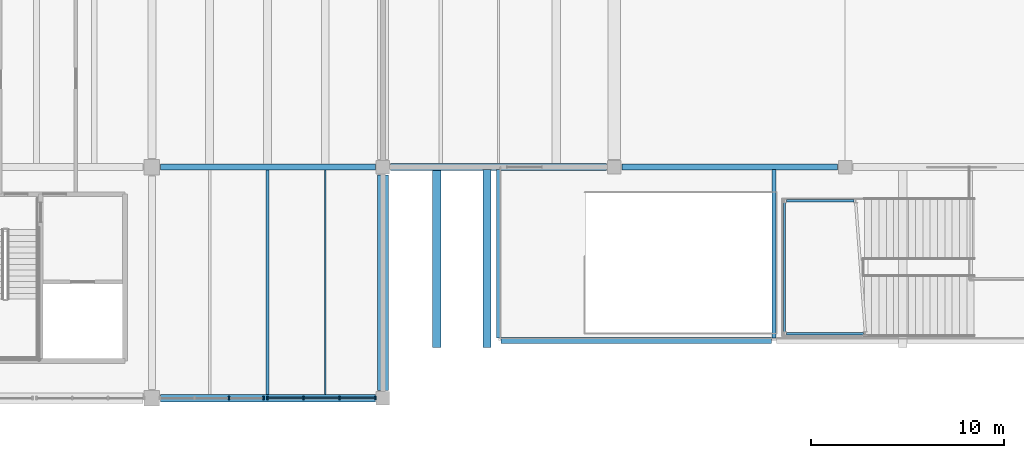
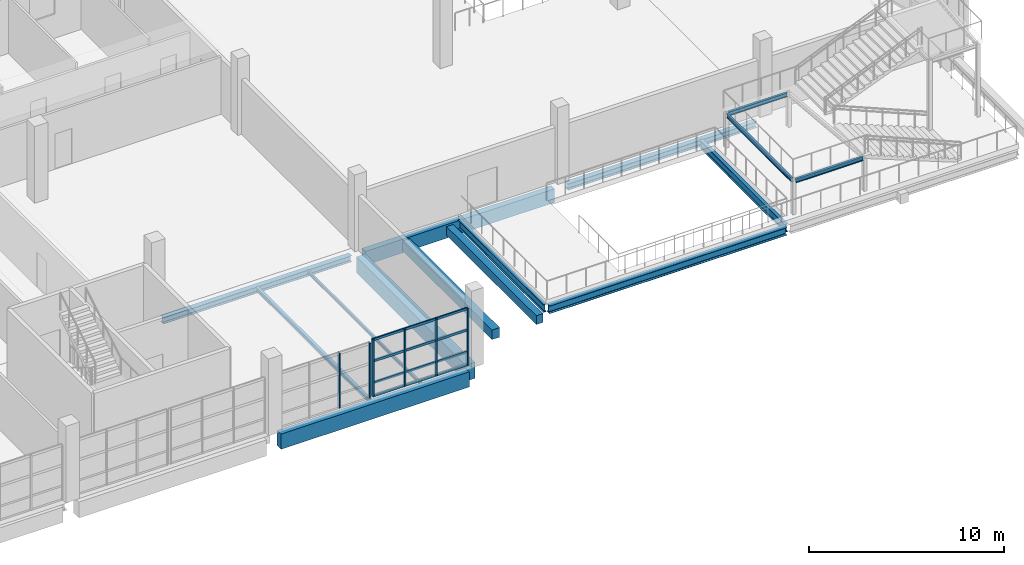
# One storey, part 35 of 112: 13 beams, 12 members, 2 elements without a shape of their own.
"""IFC4 building model written with IfcOpenShell, lengths in metres."""

from ifc_helpers import new_model, si_unit, direction, frame, origin, origin_2d, place, context, subcontext, project, spatial, rectangle, i_section, extrude, material, material_profile, profile_set, type_object, element, aggregate, save


model = new_model("IFC4")

# Units and contexts
model_context = context("Model", 3, precision=1e-05, world=origin(), true_north=direction((0.0, 1.0)))
body_context = subcontext(model_context, "Body", "Model", "MODEL_VIEW")
ifc_project = project(units=[si_unit("LENGTHUNIT", "METRE"), si_unit("AREAUNIT", "SQUARE_METRE"), si_unit("VOLUMEUNIT", "CUBIC_METRE"), si_unit("PLANEANGLEUNIT", "RADIAN"), si_unit("MASSUNIT", "GRAM", prefix="KILO")], contexts=[model_context])

# Site, building, storey
site_placement = place(None, origin())
site = spatial("IfcSite", under=ifc_project, at=site_placement, CompositionType="ELEMENT")
building_placement = place(site_placement, origin())
building = spatial("IfcBuilding", under=site, at=building_placement, Name="Kamomehara Wholesale Market", CompositionType="ELEMENT")
storey_placement = place(building_placement, frame((0.0, 0.0, 6.60009765625)))
storey = spatial("IfcBuildingStorey", under=building, at=storey_placement, Name="L01", CompositionType="ELEMENT", Elevation=6.60009765625)

# Beams
ifc_material_1 = material(Name="Concrete Fc36 (C35/45)", Category="concrete")
ifc_material_profile_1 = material_profile(ifc_material_1, rectangle(XDim=0.550048828125, YDim=1.0, at=origin_2d()), Name="RC-SEB-550x1000")
ifc_profile_set_1 = profile_set([ifc_material_profile_1], Name="Concrete Fc36 (C35/45)")
beam_type_1 = type_object("IfcBeamType", Name="BM-SEB1000-EXT", PredefinedType="SPANDREL", material=ifc_profile_set_1)
beam_1_placement = place(storey_placement, frame((168.0, 12.39990234375, -0.81201171875), z_axis=(0.0, 1.0, 0.0), x_axis=(-1.0, 0.0, 0.0)))
element("IfcBeam", 1, at=beam_1_placement, inside=storey, type_object=beam_type_1, Name="Beam SEB-03E L01", PredefinedType="SPANDREL", context=body_context, shape_type="SweptSolid", body=[
    extrude(rectangle(XDim=0.550048828125, YDim=1.0, at=origin_2d()), origin(), (0.0, 0.0, 1.0), 11.2001953125),
])
ifc_material_2 = material(Name="Precast concrete Fc45 (C40/50)", Category="concrete")
ifc_material_profile_2 = material_profile(ifc_material_2, rectangle(XDim=0.35009765625, YDim=0.85009765625, at=origin_2d()), Name="PC-SPN-350x850")
ifc_profile_set_2 = profile_set([ifc_material_profile_2], Name="Precast concrete Fc45 (C40/50)")
beam_type_2 = type_object("IfcBeamType", Name="BM-SPN850-EXT", PredefinedType="SPANDREL", material=ifc_profile_set_2)
beam_2_placement = place(storey_placement, frame((168.39990234375, 24.0, -0.777099609375), z_axis=(1.0, 0.0, 0.0), x_axis=(0.0, 1.0, 0.0)))
element("IfcBeam", 2, at=beam_2_placement, inside=storey, type_object=beam_type_2, Name="Beam SPN-02E L01", PredefinedType="SPANDREL", context=body_context, shape_type="SweptSolid", body=[
    extrude(rectangle(XDim=0.35009765625, YDim=0.85009765625, at=origin_2d()), origin(), (0.0, 0.0, 1.0), 11.2001953125),
])
ifc_material_3 = material(Name="Precast concrete Fc45 (C40/50)", Category="concrete")
ifc_material_profile_3 = material_profile(ifc_material_3, rectangle(XDim=0.39990234375, YDim=0.949951171875, at=origin_2d()), Name="PC-SPN-400x950")
ifc_profile_set_3 = profile_set([ifc_material_profile_3], Name="Precast concrete Fc45 (C40/50)")
beam_type_3 = type_object("IfcBeamType", Name="BM-SPN950-EXT", PredefinedType="SPANDREL", material=ifc_profile_set_3)
beam_3_placement = place(storey_placement, frame((156.449951171875, 12.0, -0.787109375), z_axis=(1.0, 0.0, 0.0), x_axis=(0.0, 1.0, 0.0)))
element("IfcBeam", 3, at=beam_3_placement, inside=storey, type_object=beam_type_3, Name="Beam SPN-01E L01", PredefinedType="SPANDREL", context=body_context, shape_type="SweptSolid", body=[
    extrude(rectangle(XDim=0.39990234375, YDim=0.949951171875, at=origin_2d()), origin(), (0.0, 0.0, 1.0), 11.150146484375),
])
ifc_material_4 = material(Name="Steel SN400B", Category="steel")
ifc_material_profile_4 = material_profile(ifc_material_4, i_section(OverallWidth=0.10009765625, OverallDepth=0.199951171875, WebThickness=0.005615234375, FlangeThickness=0.008056640625, FilletRadius=0.008056640625, at=origin_2d()), Name="H-200x100x5.5x8")
ifc_profile_set_4 = profile_set([ifc_material_profile_4], Name="Steel SN400B")
beam_type_4 = type_object("IfcBeamType", Name="BM-ST-H200", PredefinedType="LINTEL", material=ifc_profile_set_4)
beam_4_placement = place(storey_placement, frame((165.0, 12.199951171875, -0.412109375), z_axis=(0.0, 1.0, 0.0), x_axis=(-1.0, 0.0, 0.0)))
element("IfcBeam", 4, at=beam_4_placement, inside=storey, type_object=beam_type_4, Name="Beam SJ-07 L01", PredefinedType="LINTEL", context=body_context, shape_type="SweptSolid", body=[
    extrude(i_section(OverallWidth=0.10009765625, OverallDepth=0.199951171875, WebThickness=0.005615234375, FlangeThickness=0.008056640625, FilletRadius=0.008056640625, at=origin_2d()), origin(), (0.0, 0.0, 1.0), 11.650146484375),
])
ifc_material_5 = material(Name="Steel SN400B", Category="steel")
ifc_material_profile_5 = material_profile(ifc_material_5, i_section(OverallWidth=0.175048828125, OverallDepth=0.243896484375, WebThickness=0.007080078125, FlangeThickness=0.010986328125, FilletRadius=0.010986328125, at=origin_2d()), Name="H-244x175x7x11")
ifc_profile_set_5 = profile_set([ifc_material_profile_5], Name="Steel SN400B")
beam_type_5 = type_object("IfcBeamType", Name="BM-ST-H244", PredefinedType="JOIST", material=ifc_profile_set_5)
beam_5_placement = place(storey_placement, frame((162.0, 12.199951171875, -0.43408203125), z_axis=(0.0, 1.0, 0.0), x_axis=(-1.0, 0.0, 0.0)))
element("IfcBeam", 5, at=beam_5_placement, inside=storey, type_object=beam_type_5, Name="Beam SJ-10 L01", PredefinedType="JOIST", context=body_context, shape_type="SweptSolid", body=[
    extrude(i_section(OverallWidth=0.175048828125, OverallDepth=0.243896484375, WebThickness=0.007080078125, FlangeThickness=0.010986328125, FilletRadius=0.010986328125, at=origin_2d()), origin(), (0.0, 0.0, 1.0), 11.650146484375),
])
ifc_material_6 = material(Name="Steel SN400B", Category="steel")
ifc_material_profile_6 = material_profile(ifc_material_6, i_section(OverallWidth=0.125, OverallDepth=0.25, WebThickness=0.006103515625, FlangeThickness=0.009033203125, FilletRadius=0.008056640625, at=origin_2d()), Name="H-250x125x6x9")
ifc_profile_set_6 = profile_set([ifc_material_profile_6], Name="Steel SN400B")
beam_type_6 = type_object("IfcBeamType", Name="BM-ST-H250-EXT", PredefinedType="JOIST", material=ifc_profile_set_6)
beam_6_placement = place(storey_placement, frame((188.85009765625, 15.449951171875, 2.034912109375), z_axis=(0.0, 1.0, 0.0), x_axis=(-1.0, 0.0, 0.0)))
element("IfcBeam", 6, at=beam_6_placement, inside=storey, type_object=beam_type_6, Name="Beam SJ-06E L01 ST20.1", PredefinedType="JOIST", context=body_context, shape_type="SweptSolid", body=[
    extrude(i_section(OverallWidth=0.125, OverallDepth=0.25, WebThickness=0.006103515625, FlangeThickness=0.009033203125, FilletRadius=0.008056640625, at=origin_2d()), origin(), (0.0, 0.0, 1.0), 6.699951171875),
])
beam_7_placement = place(storey_placement, frame((188.949951171875, 15.35009765625, 2.034912109375), z_axis=(1.0, 0.0, 0.0), x_axis=(0.0, 1.0, 0.0)))
element("IfcBeam", 7, at=beam_7_placement, inside=storey, type_object=beam_type_6, Name="Beam SJ-06E L01 ST20.3", PredefinedType="JOIST", context=body_context, shape_type="SweptSolid", body=[
    extrude(i_section(OverallWidth=0.125, OverallDepth=0.25, WebThickness=0.006103515625, FlangeThickness=0.009033203125, FilletRadius=0.008056640625, at=origin_2d()), origin(), (0.0, 0.0, 1.0), 4.0),
])
beam_8_placement = place(storey_placement, frame((188.949951171875, 22.25, 2.034912109375), z_axis=(1.0, 0.0, 0.0), x_axis=(0.0, 1.0, 0.0)))
element("IfcBeam", 8, at=beam_8_placement, inside=storey, type_object=beam_type_6, Name="Beam SJ-06E L01 ST20.4", PredefinedType="JOIST", context=body_context, shape_type="SweptSolid", body=[
    extrude(i_section(OverallWidth=0.125, OverallDepth=0.25, WebThickness=0.006103515625, FlangeThickness=0.009033203125, FilletRadius=0.008056640625, at=origin_2d()), origin(), (0.0, 0.0, 1.0), 3.5),
])
ifc_material_7 = material(Name="Steel SN490B", Category="steel")
ifc_material_profile_7 = material_profile(ifc_material_7, i_section(OverallWidth=0.300048828125, OverallDepth=0.389892578125, WebThickness=0.010009765625, FlangeThickness=0.01611328125, FilletRadius=0.01806640625, at=origin_2d()), Name="H-390x300x10x16")
ifc_profile_set_7 = profile_set([ifc_material_profile_7], Name="Steel SN490B")
beam_type_7 = type_object("IfcBeamType", Name="BM-ST-H390-EXT", PredefinedType="SPANDREL", material=ifc_profile_set_7)
beam_9_placement = place(storey_placement, frame((156.449951171875, 24.0, -0.537109375), z_axis=(1.0, 0.0, 0.0), x_axis=(0.0, 1.0, 0.0)))
element("IfcBeam", 9, at=beam_9_placement, inside=storey, type_object=beam_type_7, Name="Beam SJ-03E L01", PredefinedType="SPANDREL", context=body_context, shape_type="SweptSolid", body=[
    extrude(i_section(OverallWidth=0.300048828125, OverallDepth=0.389892578125, WebThickness=0.010009765625, FlangeThickness=0.01611328125, FilletRadius=0.01806640625, at=origin_2d()), origin(), (0.0, 0.0, 1.0), 11.150146484375),
])
beam_10_placement = place(storey_placement, frame((180.39990234375, 24.0, -0.547119140625), z_axis=(1.0, 0.0, 0.0), x_axis=(0.0, 1.0, 0.0)))
element("IfcBeam", 10, at=beam_10_placement, inside=storey, type_object=beam_type_7, Name="Beam SJ-03E L01", PredefinedType="SPANDREL", context=body_context, shape_type="SweptSolid", body=[
    extrude(i_section(OverallWidth=0.300048828125, OverallDepth=0.389892578125, WebThickness=0.010009765625, FlangeThickness=0.01611328125, FilletRadius=0.01806640625, at=origin_2d()), origin(), (0.0, 0.0, 1.0), 11.2001953125),
])
ifc_material_8 = material(Name="Steel SN490B", Category="steel")
ifc_material_profile_8 = material_profile(ifc_material_8, i_section(OverallWidth=0.300048828125, OverallDepth=0.488037109375, WebThickness=0.010986328125, FlangeThickness=0.01806640625, FilletRadius=0.02197265625, at=origin_2d()), Name="H-488x300x11x18")
ifc_profile_set_8 = profile_set([ifc_material_profile_8], Name="Steel SN490B")
beam_type_8 = type_object("IfcBeamType", Name="BM-ST-H488-EXT", PredefinedType="BEAM", material=ifc_profile_set_8)
beam_11_placement = place(storey_placement, frame((174.125, 15.0, -0.571044921875), z_axis=(1.0, 0.0, 0.0), x_axis=(0.0, 1.0, 0.0)))
element("IfcBeam", 11, at=beam_11_placement, inside=storey, type_object=beam_type_8, Name="Beam SG-08E L01", PredefinedType="BEAM", context=body_context, shape_type="SweptSolid", body=[
    extrude(i_section(OverallWidth=0.300048828125, OverallDepth=0.488037109375, WebThickness=0.010986328125, FlangeThickness=0.01806640625, FilletRadius=0.02197265625, at=origin_2d()), origin(), (0.0, 0.0, 1.0), 14.050048828125),
])
ifc_material_9 = material(Name="Steel SN490B", Category="steel")
ifc_material_profile_9 = material_profile(ifc_material_9, i_section(OverallWidth=0.199951171875, OverallDepth=0.5, WebThickness=0.010009765625, FlangeThickness=0.01611328125, FilletRadius=0.012939453125, at=origin_2d()), Name="H-500x200x10x16")
ifc_profile_set_9 = profile_set([ifc_material_profile_9], Name="Steel SN490B")
beam_type_9 = type_object("IfcBeamType", Name="BM-ST-H500-EXT", PredefinedType="BEAM", material=ifc_profile_set_9)
for number, where, z_axis, x_axis, name in (
    (12, (174.0, 15.125, -0.5771484375), (0.0, 1.0, 0.0), (-1.0, 0.0, 0.0), "Beam SG-07E L01"),
    (13, (188.300048828125, 15.125, -0.5771484375), (0.0, 1.0, 0.0), (-1.0, 0.0, 0.0), "Beam SG-07E L01"),
):
    element("IfcBeam", number, at=place(storey_placement, frame(where, z_axis=z_axis, x_axis=x_axis)), inside=storey, type_object=beam_type_9, Name=name, PredefinedType="BEAM", context=body_context, shape_type="SweptSolid", body=[
        extrude(i_section(OverallWidth=0.199951171875, OverallDepth=0.5, WebThickness=0.010009765625, FlangeThickness=0.01611328125, FilletRadius=0.012939453125, at=origin_2d()), origin(), (0.0, 0.0, 1.0), 8.75),
    ])

# Curtain wall, members
ifc_material_10 = material(Name="Anodised aluminium 6063-T5", Category="aluminium")
curtain_wall_type = type_object("IfcCurtainWallType", Name="CW-UN-01", PredefinedType="NOTDEFINED", material=ifc_material_10)
curtain_wall_1_placement = place(storey_placement, origin())
curtain_wall_1 = element("IfcCurtainWall", 14, at=curtain_wall_1_placement, inside=storey, type_object=curtain_wall_type, Name="Unitised curtain wall CW-141", PredefinedType="NOTDEFINED")
ifc_material_11 = material(Name="Anodised aluminium 6063-T5", Category="aluminium")
ifc_material_profile_10 = material_profile(ifc_material_11, rectangle(XDim=0.074951171875, YDim=0.179931640625, at=origin_2d()), Name="ALU-MUL-75x180")
ifc_profile_set_10 = profile_set([ifc_material_profile_10], Name="Anodised aluminium 6063-T5")
member_type_1 = type_object("IfcMemberType", Name="CW-MUL-180", PredefinedType="MULLION", material=ifc_profile_set_10)
member_1_placement = place(storey_placement, frame((167.60009765625, 12.0, 0.0), z_axis=(0.0, 0.0, 1.0), x_axis=(-1.0, 0.0, 0.0)))
member_1 = element("IfcMember", 15, at=member_1_placement, type_object=member_type_1, Name="Mullion CW-141.0", PredefinedType="MULLION", context=body_context, shape_type="SweptSolid", body=[
    extrude(rectangle(XDim=0.074951171875, YDim=0.179931640625, at=origin_2d()), origin(), (0.0, 0.0, 1.0), 3.5830078125),
])
member_2_placement = place(storey_placement, frame((165.73291015625, 12.0, 0.0), z_axis=(0.0, 0.0, 1.0), x_axis=(-1.0, 0.0, 0.0)))
member_2 = element("IfcMember", 16, at=member_2_placement, type_object=member_type_1, Name="Mullion CW-141.1", PredefinedType="MULLION", context=body_context, shape_type="SweptSolid", body=[
    extrude(rectangle(XDim=0.074951171875, YDim=0.179931640625, at=origin_2d()), origin(), (0.0, 0.0, 1.0), 3.5830078125),
])
member_3_placement = place(storey_placement, frame((163.866943359375, 12.0, 0.0), z_axis=(0.0, 0.0, 1.0), x_axis=(-1.0, 0.0, 0.0)))
member_3 = element("IfcMember", 17, at=member_3_placement, type_object=member_type_1, Name="Mullion CW-141.2", PredefinedType="MULLION", context=body_context, shape_type="SweptSolid", body=[
    extrude(rectangle(XDim=0.074951171875, YDim=0.179931640625, at=origin_2d()), origin(), (0.0, 0.0, 1.0), 3.5830078125),
])
member_4_placement = place(storey_placement, frame((162.0, 12.0, 0.0), z_axis=(0.0, 0.0, 1.0), x_axis=(-1.0, 0.0, 0.0)))
member_4 = element("IfcMember", 18, at=member_4_placement, type_object=member_type_1, Name="Mullion CW-141.3", PredefinedType="MULLION", context=body_context, shape_type="SweptSolid", body=[
    extrude(rectangle(XDim=0.074951171875, YDim=0.179931640625, at=origin_2d()), origin(), (0.0, 0.0, 1.0), 3.5830078125),
])

curtain_wall_2_placement = place(storey_placement, origin())
curtain_wall_2 = element("IfcCurtainWall", 19, at=curtain_wall_2_placement, inside=storey, type_object=curtain_wall_type, Name="Unitised curtain wall CW-142", PredefinedType="NOTDEFINED")
member_5_placement = place(storey_placement, frame((161.800048828125, 12.0, 0.0), z_axis=(0.0, 0.0, 1.0), x_axis=(-1.0, 0.0, 0.0)))
member_5 = element("IfcMember", 20, at=member_5_placement, type_object=member_type_1, Name="Mullion CW-142.0", PredefinedType="MULLION", context=body_context, shape_type="SweptSolid", body=[
    extrude(rectangle(XDim=0.074951171875, YDim=0.179931640625, at=origin_2d()), origin(), (0.0, 0.0, 1.0), 3.432861328125),
])
member_6_placement = place(storey_placement, frame((160.0029296875, 12.0, 0.0), z_axis=(0.0, 0.0, 1.0), x_axis=(-1.0, 0.0, 0.0)))
member_6 = element("IfcMember", 21, at=member_6_placement, type_object=member_type_1, Name="Mullion CW-142.1", PredefinedType="MULLION", context=body_context, shape_type="SweptSolid", body=[
    extrude(rectangle(XDim=0.074951171875, YDim=0.179931640625, at=origin_2d()), origin(), (0.0, 0.0, 1.0), 3.432861328125),
])
aggregate(curtain_wall_2, [member_5, member_6])

# Member
ifc_material_12 = material(Name="Anodised aluminium 6063-T5", Category="aluminium")
ifc_material_profile_11 = material_profile(ifc_material_12, rectangle(XDim=0.074951171875, YDim=0.14990234375, at=origin_2d()), Name="ALU-TRN-75x150")
ifc_profile_set_11 = profile_set([ifc_material_profile_11], Name="Anodised aluminium 6063-T5")
member_type_2 = type_object("IfcMemberType", Name="CW-TRN-150", PredefinedType="USERDEFINED", material=ifc_profile_set_11)
member_7_placement = place(storey_placement, frame((167.60009765625, 12.0, 0.039794921875), z_axis=(-1.0, 0.0, 0.0), x_axis=(0.0, -1.0, 0.0)))
member_7 = element("IfcMember", 22, at=member_7_placement, type_object=member_type_2, Name="Transom CW-141.0", ObjectType="TRANSOM", PredefinedType="USERDEFINED", context=body_context, shape_type="SweptSolid", body=[
    extrude(rectangle(XDim=0.074951171875, YDim=0.14990234375, at=origin_2d()), origin(), (0.0, 0.0, 1.0), 5.60009765625),
])

member_8_placement = place(storey_placement, frame((167.60009765625, 12.0, 0.849853515625), z_axis=(-1.0, 0.0, 0.0), x_axis=(0.0, -1.0, 0.0)))
member_8 = element("IfcMember", 23, at=member_8_placement, type_object=member_type_2, Name="Transom CW-141.1", ObjectType="TRANSOM", PredefinedType="USERDEFINED", context=body_context, shape_type="SweptSolid", body=[
    extrude(rectangle(XDim=0.074951171875, YDim=0.14990234375, at=origin_2d()), origin(), (0.0, 0.0, 1.0), 5.60009765625),
])

member_9_placement = place(storey_placement, frame((167.60009765625, 12.0, 2.2158203125), z_axis=(-1.0, 0.0, 0.0), x_axis=(0.0, -1.0, 0.0)))
member_9 = element("IfcMember", 24, at=member_9_placement, type_object=member_type_2, Name="Transom CW-141.2", ObjectType="TRANSOM", PredefinedType="USERDEFINED", context=body_context, shape_type="SweptSolid", body=[
    extrude(rectangle(XDim=0.074951171875, YDim=0.14990234375, at=origin_2d()), origin(), (0.0, 0.0, 1.0), 5.60009765625),
])

member_10_placement = place(storey_placement, frame((167.60009765625, 12.0, 3.54296875), z_axis=(-1.0, 0.0, 0.0), x_axis=(0.0, -1.0, 0.0)))
member_10 = element("IfcMember", 25, at=member_10_placement, type_object=member_type_2, Name="Transom CW-141.3", ObjectType="TRANSOM", PredefinedType="USERDEFINED", context=body_context, shape_type="SweptSolid", body=[
    extrude(rectangle(XDim=0.074951171875, YDim=0.14990234375, at=origin_2d()), origin(), (0.0, 0.0, 1.0), 5.60009765625),
])

aggregate(curtain_wall_1, [member_1, member_2, member_3, member_4, member_7, member_8, member_9, member_10])

# Members
ifc_material_13 = material(Name="Precast concrete Fc45 (C40/50)", Category="concrete")
ifc_material_profile_12 = material_profile(ifc_material_13, rectangle(XDim=0.39990234375, YDim=0.550048828125, at=origin_2d()), Name="PC-STR-400x550")
ifc_profile_set_12 = profile_set([ifc_material_profile_12], Name="Precast concrete Fc45 (C40/50)")
member_type_3 = type_object("IfcMemberType", Name="MEM-ST-PC550", PredefinedType="STRUT", material=ifc_profile_set_12)
member_11_placement = place(storey_placement, frame((173.39990234375, 14.625, -0.75), z_axis=(0.0, 1.0, 0.0), x_axis=(-1.0, 0.0, 0.0)))
element("IfcMember", 26, at=member_11_placement, inside=storey, type_object=member_type_3, Name="Blade wall tie strut L01 2", PredefinedType="STRUT", context=body_context, shape_type="SweptSolid", body=[
    extrude(rectangle(XDim=0.39990234375, YDim=0.550048828125, at=origin_2d()), origin(), (0.0, 0.0, 1.0), 9.2451171875),
])
ifc_material_14 = material(Name="Precast concrete Fc45 (C40/50)", Category="concrete")
ifc_material_profile_13 = material_profile(ifc_material_14, rectangle(XDim=0.449951171875, YDim=0.60009765625, at=origin_2d()), Name="PC-STR-450x600")
ifc_profile_set_13 = profile_set([ifc_material_profile_13], Name="Precast concrete Fc45 (C40/50)")
member_type_4 = type_object("IfcMemberType", Name="MEM-ST-PC600", PredefinedType="STRUT", material=ifc_profile_set_13)
member_12_placement = place(storey_placement, frame((170.800048828125, 14.625, -0.75), z_axis=(0.0, 1.0, 0.0), x_axis=(-1.0, 0.0, 0.0)))
element("IfcMember", 27, at=member_12_placement, inside=storey, type_object=member_type_4, Name="Blade wall tie strut L01 1", PredefinedType="STRUT", context=body_context, shape_type="SweptSolid", body=[
    extrude(rectangle(XDim=0.449951171875, YDim=0.60009765625, at=origin_2d()), origin(), (0.0, 0.0, 1.0), 9.2451171875),
])

save(model, "model.ifc")
